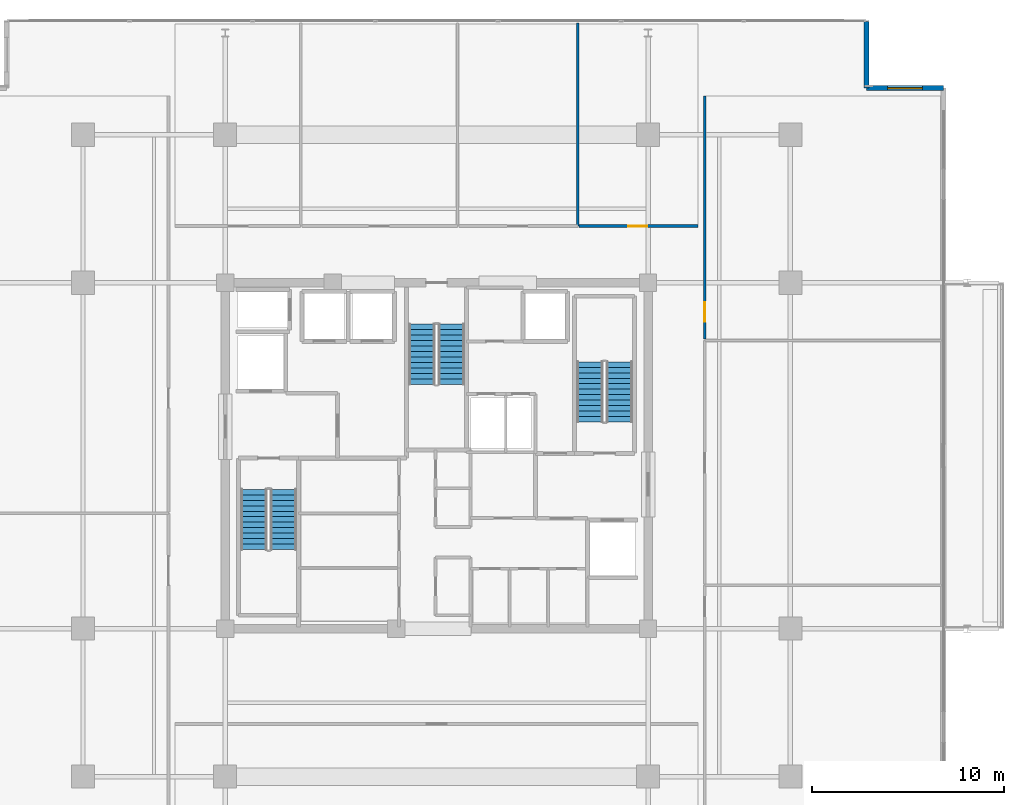
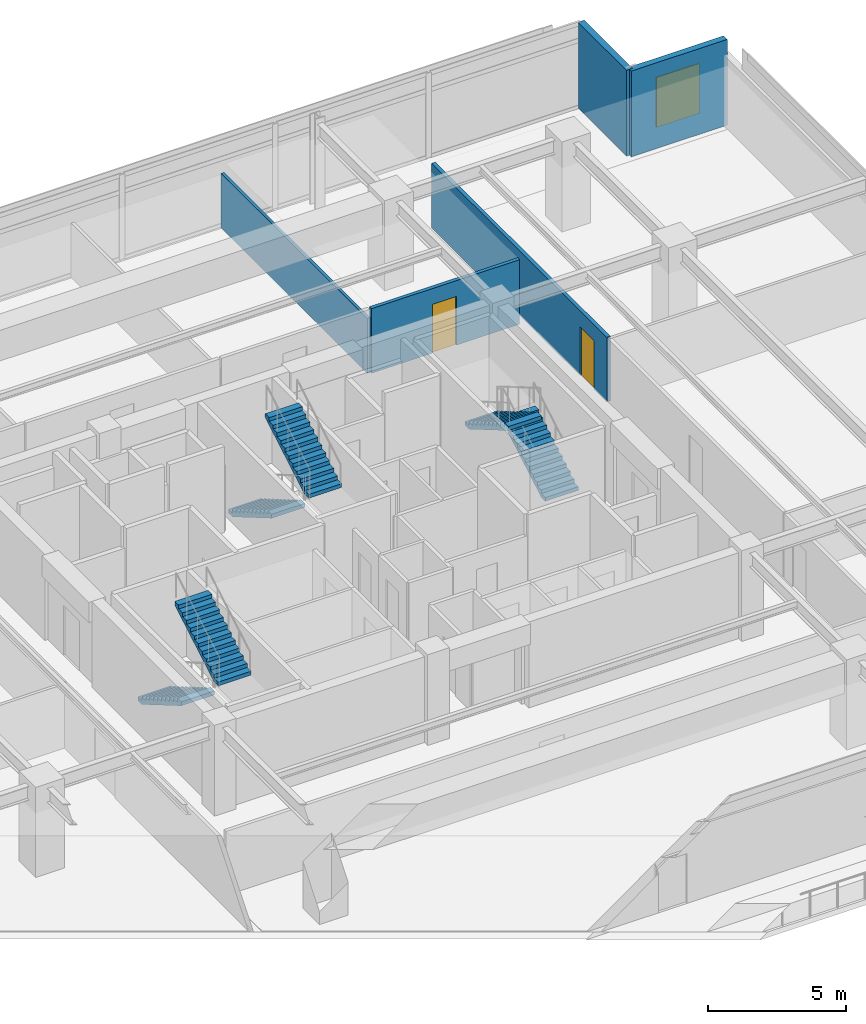
# One storey, part 19 of 24: 6 stair flights, 5 walls, 2 doors, 1 window, 3 openings, 3 elements without a shape of their own.
"""IFC4 building model written with IfcOpenShell, lengths in metres."""

from ifc_helpers import new_model, si_unit, direction, frame, frame_2d, origin, place, context, subcontext, project, spatial, polyline, rectangle, outline, extrude, material, layer, layer_set, type_object, element, fill, aggregate, save


model = new_model("IFC4")

# Units and contexts
model_context = context("Model", 3, precision=1e-05, world=origin(), true_north=direction((0.0, 1.0)))
body_context = subcontext(model_context, "Body", "Model", "MODEL_VIEW")
ifc_project = project(units=[si_unit("LENGTHUNIT", "METRE"), si_unit("AREAUNIT", "SQUARE_METRE"), si_unit("VOLUMEUNIT", "CUBIC_METRE"), si_unit("PLANEANGLEUNIT", "RADIAN"), si_unit("MASSUNIT", "GRAM", prefix="KILO")], contexts=[model_context])

# Site, building, storey
site_placement = place(None, origin())
site = spatial("IfcSite", under=ifc_project, at=site_placement, CompositionType="ELEMENT")
building_placement = place(site_placement, origin())
building = spatial("IfcBuilding", under=site, at=building_placement, Name="Kovane Verandah Tower", CompositionType="ELEMENT")
storey_placement = place(building_placement, frame((0.0, 0.0, 259.199951171875)))
storey = spatial("IfcBuildingStorey", under=building, at=storey_placement, Name="L60", CompositionType="ELEMENT", Elevation=259.199951171875)

# Wall, opening, door
ifc_material_1 = material(Name="Fire-Rated Gypsum Stud Partition", Category="gypsum")
ifc_layer_1 = layer(ifc_material_1, 0.14990234375)
ifc_layer_set_1 = layer_set([ifc_layer_1], Name="Fire-Rated Gypsum Stud Partition")
wall_type_1 = type_object("IfcWallType", Name="WL-COR-150", PredefinedType="PARTITIONING", material=ifc_layer_set_1)
wall_1_placement = place(storey_placement, frame((47.4140625, 39.449951171875, 0.0), z_axis=(0.0, 0.0, 1.0), x_axis=(1.0, 0.0, 0.0)))
wall_1 = element("IfcWall", 1, at=wall_1_placement, inside=storey, type_object=wall_type_1, Name="L60 Open Plan Office N4 Corridor Partition", PredefinedType="PARTITIONING", context=body_context, shape_type="SweptSolid", body=[
    extrude(rectangle(XDim=6.18603515625, YDim=0.14990234375, at=frame_2d((3.093017578125, 0.0))), origin(), (0.0, 0.0, 1.0), 2.85009765625),
])
opening_1_placement = place(wall_1_placement, frame((2.54296875, 0.0, 0.0)))
opening_1 = element("IfcOpeningElement", 2, at=opening_1_placement, cuts=wall_1, Name="Opening DR-L60-027", PredefinedType="OPENING", context=body_context, shape_type="SweptSolid", body=[
    extrude(rectangle(XDim=1.0, YDim=2.14990234375, at=frame_2d((0.5, 1.074951171875))), frame((0.0, 0.074951171875, 0.0), z_axis=(0.0, -1.0, 0.0), x_axis=(1.0, 0.0, 0.0)), (0.0, 0.0, 1.0), 0.14990234375),
])
ifc_material_2 = material(Name="FSC Spotted-Gum Timber Fire-Rated Office Door", Category="wood")
door_type = type_object("IfcDoorType", Name="DR-OFF-1000", OperationType="SINGLE_SWING_LEFT", PredefinedType="DOOR", material=ifc_material_2)
door_1_placement = place(opening_1_placement, origin())
door_1 = element("IfcDoor", 3, at=door_1_placement, inside=storey, type_object=door_type, Name="L60 Open Plan Office N4 Entrance Door", OperationType="SINGLE_SWING_RIGHT", OverallHeight=2.14990234375, OverallWidth=1.0, PredefinedType="DOOR", context=body_context, shape_type="SweptSolid", body=[
    extrude(rectangle(XDim=1.0, YDim=2.14990234375, at=frame_2d((0.5, 1.074951171875))), frame((0.0, 0.02490234375, 0.0), z_axis=(0.0, -1.0, 0.0), x_axis=(1.0, 0.0, 0.0)), (0.0, 0.0, 1.0), 0.050048828125),
])
fill(opening_1, door_1)

wall_2_placement = place(storey_placement, frame((53.949951171875, 33.559814453125, 0.0), z_axis=(0.0, 0.0, 1.0), x_axis=(0.0, 1.0, 0.0)))
wall_2 = element("IfcWall", 4, at=wall_2_placement, inside=storey, type_object=wall_type_1, Name="L60 Collaboration Hub E3 Corridor Partition", PredefinedType="PARTITIONING", context=body_context, shape_type="SweptSolid", body=[
    extrude(rectangle(XDim=12.658447265625, YDim=0.14990234375, at=frame_2d((6.3291015625, 0.0))), origin(), (0.0, 0.0, 1.0), 2.85009765625),
])
opening_2_placement = place(wall_2_placement, frame((0.920166015625, 0.0, 0.0)))
opening_2 = element("IfcOpeningElement", 5, at=opening_2_placement, cuts=wall_2, Name="Opening DR-L60-013", PredefinedType="OPENING", context=body_context, shape_type="SweptSolid", body=[
    extrude(rectangle(XDim=1.0, YDim=2.14990234375, at=frame_2d((0.5, 1.074951171875))), frame((0.0, 0.074951171875, 0.0), z_axis=(0.0, -1.0, 0.0), x_axis=(1.0, 0.0, 0.0)), (0.0, 0.0, 1.0), 0.14990234375),
])
door_2_placement = place(opening_2_placement, origin())
door_2 = element("IfcDoor", 6, at=door_2_placement, inside=storey, type_object=door_type, Name="L60 Collaboration Hub E3 Entrance Door", OperationType="SINGLE_SWING_RIGHT", OverallHeight=2.14990234375, OverallWidth=1.0, PredefinedType="DOOR", context=body_context, shape_type="SweptSolid", body=[
    extrude(rectangle(XDim=1.0, YDim=2.14990234375, at=frame_2d((0.5, 1.074951171875))), frame((0.0, 0.02490234375, 0.0), z_axis=(0.0, -1.0, 0.0), x_axis=(1.0, 0.0, 0.0)), (0.0, 0.0, 1.0), 0.050048828125),
])
fill(opening_2, door_2)

# Wall
ifc_material_3 = material(Name="Acoustic Fire-Rated Gypsum Partition", Category="gypsum")
ifc_layer_2 = layer(ifc_material_3, 0.1201171875)
ifc_layer_set_2 = layer_set([ifc_layer_2], Name="Acoustic Fire-Rated Gypsum Partition")
wall_type_2 = type_object("IfcWallType", Name="WL-PART-120", PredefinedType="PARTITIONING", material=ifc_layer_set_2)
wall_3_placement = place(storey_placement, frame((47.343994140625, 39.449951171875, 0.0), z_axis=(0.0, 0.0, 1.0), x_axis=(0.0, 1.0, 0.0)))
element("IfcWall", 7, at=wall_3_placement, inside=storey, type_object=wall_type_2, Name="L60 Document and Print Room N3 Dividing Partition", PredefinedType="PARTITIONING", context=body_context, shape_type="SweptSolid", body=[
    extrude(rectangle(XDim=10.568359375, YDim=0.1201171875, at=frame_2d((5.2841796875, 0.0))), origin(), (0.0, 0.0, 1.0), 2.4150390625),
])

# Wall, opening, window
ifc_material_4 = material(Name="Concrete C45/55 Insulated Spandrel Wall", Category="concrete")
ifc_layer_3 = layer(ifc_material_4, 0.260009765625)
ifc_layer_set_3 = layer_set([ifc_layer_3], Name="Concrete C45/55 Insulated Spandrel Wall")
wall_type_3 = type_object("IfcWallType", Name="WL-SPANDREL-260", PredefinedType="PARAPET", material=ifc_layer_set_3)
wall_4_placement = place(storey_placement, frame((66.366455078125, 46.6181640625, 0.0), z_axis=(0.0, 0.0, 1.0), x_axis=(-1.0, 0.0, 0.0)))
wall_4 = element("IfcWall", 8, at=wall_4_placement, inside=storey, type_object=wall_type_3, Name="L60 NE Notch Cheek Wall 1", PredefinedType="PARAPET", context=body_context, shape_type="SweptSolid", body=[
    extrude(rectangle(XDim=4.0, YDim=0.260009765625, at=frame_2d((2.0, 0.0))), origin(), (0.0, 0.0, 1.0), 3.78515625),
])
opening_3_placement = place(wall_4_placement, frame((1.10009765625, 0.0, 0.85009765625)))
opening_3 = element("IfcOpeningElement", 9, at=opening_3_placement, cuts=wall_4, Name="Opening W-03", PredefinedType="OPENING", context=body_context, shape_type="SweptSolid", body=[
    extrude(rectangle(XDim=1.800048828125, YDim=2.199951171875, at=frame_2d((0.89990234375, 1.10009765625))), frame((0.0, 0.1298828125, 0.0), z_axis=(0.0, -1.0, 0.0), x_axis=(1.0, 0.0, 0.0)), (0.0, 0.0, 1.0), 0.260009765625),
])
ifc_material_5 = material(Name="Clear Low-E Laminated Double Glazing in Anodised Frame", Category="glass")
window_type = type_object("IfcWindowType", Name="WN-NOTCH-1800x2200", PartitioningType="SINGLE_PANEL", PredefinedType="WINDOW", material=ifc_material_5)
window_placement = place(opening_3_placement, origin())
window = element("IfcWindow", 10, at=window_placement, inside=storey, type_object=window_type, Name="L60 NE Re-Entrant Corner Operable Window", OverallHeight=2.199951171875, OverallWidth=1.800048828125, PartitioningType="SINGLE_PANEL", PredefinedType="WINDOW", context=body_context, shape_type="SweptSolid", body=[
    extrude(rectangle(XDim=1.800048828125, YDim=2.199951171875, at=frame_2d((0.89990234375, 1.10009765625))), frame((0.0, 0.030029296875, 0.0), z_axis=(0.0, -1.0, 0.0), x_axis=(1.0, 0.0, 0.0)), (0.0, 0.0, 1.0), 0.06005859375),
])
fill(opening_3, window)

# Wall
wall_5_placement = place(storey_placement, frame((62.366455078125, 46.6181640625, 0.0), z_axis=(0.0, 0.0, 1.0), x_axis=(0.0, 1.0, 0.0)))
element("IfcWall", 11, at=wall_5_placement, inside=storey, type_object=wall_type_3, Name="L60 NE Notch Cheek Wall 2", PredefinedType="PARAPET", context=body_context, shape_type="SweptSolid", body=[
    extrude(rectangle(XDim=3.5, YDim=0.260009765625, at=frame_2d((1.75, 0.0))), origin(), (0.0, 0.0, 1.0), 3.78515625),
])

# Stair, stair flights
ifc_material_6 = material(Name="Concrete C45/55", Category="concrete")
stair_type = type_object("IfcStairType", Name="ST-CORE-1380", PredefinedType="HALF_TURN_STAIR", material=ifc_material_6)
stair_1_placement = place(storey_placement, origin())
stair_1 = element("IfcStair", 12, at=stair_1_placement, inside=storey, type_object=stair_type, Name="L60 Exit Stair ST-01", PredefinedType="HALF_TURN_STAIR")
stair_flight_type = type_object("IfcStairFlightType", Name="STF-CORE-1380", PredefinedType="STRAIGHT", material=ifc_material_6)
stair_flight_1_placement = place(storey_placement, frame((30.489990234375, 25.75, 0.0), z_axis=(0.0, 0.0, 1.0), x_axis=(0.0, -1.0, 0.0)))
stair_flight_1 = element("IfcStairFlight", 13, at=stair_flight_1_placement, type_object=stair_flight_type, Name="ST-01 flight 1", NumberOfRisers=12, NumberOfTreads=11, PredefinedType="STRAIGHT", RiserHeight=0.166666667, TreadLength=0.285, context=body_context, shape_type="SweptSolid", body=[
    extrude(outline(polyline([(0.0, 0.0), (0.0, 0.166748046875), (0.284912109375, 0.166748046875), (0.284912109375, 0.333251953125), (0.570068359375, 0.333251953125), (0.570068359375, 0.5), (0.85498046875, 0.5), (0.85498046875, 0.666748046875), (1.139892578125, 0.666748046875), (1.139892578125, 0.833251953125), (1.425048828125, 0.833251953125), (1.425048828125, 1.0), (1.7099609375, 1.0), (1.7099609375, 1.166748046875), (1.9951171875, 1.166748046875), (1.9951171875, 1.333251953125), (2.280029296875, 1.333251953125), (2.280029296875, 1.5), (2.56494140625, 1.5), (2.56494140625, 1.666748046875), (2.85009765625, 1.666748046875), (2.85009765625, 1.833251953125), (3.135009765625, 1.833251953125), (3.135009765625, 2.0), (3.135009765625, 1.65966796875), (0.296875, 0.0), (0.0, 0.0)])), frame((0.0, 0.68994140625, 0.0), z_axis=(0.0, -1.0, 0.0), x_axis=(1.0, 0.0, 0.0)), (0.0, 0.0, 1.0), 1.3798828125),
])
stair_flight_2_placement = place(storey_placement, frame((32.030029296875, 22.614990234375, 2.0), z_axis=(0.0, 0.0, 1.0), x_axis=(0.0, 1.0, 0.0)))
stair_flight_2 = element("IfcStairFlight", 14, at=stair_flight_2_placement, type_object=stair_flight_type, Name="ST-01 flight 2", NumberOfRisers=12, NumberOfTreads=11, PredefinedType="STRAIGHT", RiserHeight=0.166666667, TreadLength=0.285, context=body_context, shape_type="SweptSolid", body=[
    extrude(outline(polyline([(0.0, 0.0), (0.0, 0.166748046875), (0.284912109375, 0.166748046875), (0.284912109375, 0.333251953125), (0.570068359375, 0.333251953125), (0.570068359375, 0.5), (0.85498046875, 0.5), (0.85498046875, 0.666748046875), (1.139892578125, 0.666748046875), (1.139892578125, 0.833251953125), (1.425048828125, 0.833251953125), (1.425048828125, 1.0), (1.7099609375, 1.0), (1.7099609375, 1.166748046875), (1.9951171875, 1.166748046875), (1.9951171875, 1.333251953125), (2.280029296875, 1.333251953125), (2.280029296875, 1.5), (2.56494140625, 1.5), (2.56494140625, 1.666748046875), (2.85009765625, 1.666748046875), (2.85009765625, 1.833251953125), (3.135009765625, 1.833251953125), (3.135009765625, 2.0), (3.135009765625, 1.65966796875), (0.296875, 0.0), (0.0, 0.0)])), frame((0.0, 0.68994140625, 0.0), z_axis=(0.0, -1.0, 0.0), x_axis=(1.0, 0.0, 0.0)), (0.0, 0.0, 1.0), 1.3798828125),
])
aggregate(stair_1, [stair_flight_1, stair_flight_2])

stair_2_placement = place(storey_placement, origin())
stair_2 = element("IfcStair", 15, at=stair_2_placement, inside=storey, type_object=stair_type, Name="L60 Exit Stair ST-02", PredefinedType="HALF_TURN_STAIR")
stair_flight_3_placement = place(storey_placement, frame((49.510009765625, 29.25, 0.0), z_axis=(0.0, 0.0, 1.0), x_axis=(0.0, 1.0, 0.0)))
stair_flight_3 = element("IfcStairFlight", 16, at=stair_flight_3_placement, type_object=stair_flight_type, Name="ST-02 flight 1", NumberOfRisers=12, NumberOfTreads=11, PredefinedType="STRAIGHT", RiserHeight=0.166666667, TreadLength=0.285, context=body_context, shape_type="SweptSolid", body=[
    extrude(outline(polyline([(0.0, 0.0), (0.0, 0.166748046875), (0.284912109375, 0.166748046875), (0.284912109375, 0.333251953125), (0.570068359375, 0.333251953125), (0.570068359375, 0.5), (0.85498046875, 0.5), (0.85498046875, 0.666748046875), (1.139892578125, 0.666748046875), (1.139892578125, 0.833251953125), (1.425048828125, 0.833251953125), (1.425048828125, 1.0), (1.7099609375, 1.0), (1.7099609375, 1.166748046875), (1.9951171875, 1.166748046875), (1.9951171875, 1.333251953125), (2.280029296875, 1.333251953125), (2.280029296875, 1.5), (2.56494140625, 1.5), (2.56494140625, 1.666748046875), (2.85009765625, 1.666748046875), (2.85009765625, 1.833251953125), (3.135009765625, 1.833251953125), (3.135009765625, 2.0), (3.135009765625, 1.65966796875), (0.296875, 0.0), (0.0, 0.0)])), frame((0.0, 0.68994140625, 0.0), z_axis=(0.0, -1.0, 0.0), x_axis=(1.0, 0.0, 0.0)), (0.0, 0.0, 1.0), 1.3798828125),
])
stair_flight_4_placement = place(storey_placement, frame((47.969970703125, 32.385009765625, 2.0), z_axis=(0.0, 0.0, 1.0), x_axis=(0.0, -1.0, 0.0)))
stair_flight_4 = element("IfcStairFlight", 17, at=stair_flight_4_placement, type_object=stair_flight_type, Name="ST-02 flight 2", NumberOfRisers=12, NumberOfTreads=11, PredefinedType="STRAIGHT", RiserHeight=0.166666667, TreadLength=0.285, context=body_context, shape_type="SweptSolid", body=[
    extrude(outline(polyline([(0.0, 0.0), (0.0, 0.166748046875), (0.284912109375, 0.166748046875), (0.284912109375, 0.333251953125), (0.570068359375, 0.333251953125), (0.570068359375, 0.5), (0.85498046875, 0.5), (0.85498046875, 0.666748046875), (1.139892578125, 0.666748046875), (1.139892578125, 0.833251953125), (1.425048828125, 0.833251953125), (1.425048828125, 1.0), (1.7099609375, 1.0), (1.7099609375, 1.166748046875), (1.9951171875, 1.166748046875), (1.9951171875, 1.333251953125), (2.280029296875, 1.333251953125), (2.280029296875, 1.5), (2.56494140625, 1.5), (2.56494140625, 1.666748046875), (2.85009765625, 1.666748046875), (2.85009765625, 1.833251953125), (3.135009765625, 1.833251953125), (3.135009765625, 2.0), (3.135009765625, 1.65966796875), (0.296875, 0.0), (0.0, 0.0)])), frame((0.0, 0.68994140625, 0.0), z_axis=(0.0, -1.0, 0.0), x_axis=(1.0, 0.0, 0.0)), (0.0, 0.0, 1.0), 1.3798828125),
])
aggregate(stair_2, [stair_flight_3, stair_flight_4])

stair_3_placement = place(storey_placement, origin())
stair_3 = element("IfcStair", 18, at=stair_3_placement, inside=storey, type_object=stair_type, Name="L60 Exit Stair ST-03", PredefinedType="HALF_TURN_STAIR")
stair_flight_5_placement = place(storey_placement, frame((39.22998046875, 34.35009765625, 0.0), z_axis=(0.0, 0.0, 1.0), x_axis=(0.0, -1.0, 0.0)))
stair_flight_5 = element("IfcStairFlight", 19, at=stair_flight_5_placement, type_object=stair_flight_type, Name="ST-03 flight 1", NumberOfRisers=12, NumberOfTreads=11, PredefinedType="STRAIGHT", RiserHeight=0.166666667, TreadLength=0.285, context=body_context, shape_type="SweptSolid", body=[
    extrude(outline(polyline([(0.0, 0.0), (0.0, 0.166748046875), (0.284912109375, 0.166748046875), (0.284912109375, 0.333251953125), (0.570068359375, 0.333251953125), (0.570068359375, 0.5), (0.85498046875, 0.5), (0.85498046875, 0.666748046875), (1.139892578125, 0.666748046875), (1.139892578125, 0.833251953125), (1.425048828125, 0.833251953125), (1.425048828125, 1.0), (1.7099609375, 1.0), (1.7099609375, 1.166748046875), (1.9951171875, 1.166748046875), (1.9951171875, 1.333251953125), (2.280029296875, 1.333251953125), (2.280029296875, 1.5), (2.56494140625, 1.5), (2.56494140625, 1.666748046875), (2.85009765625, 1.666748046875), (2.85009765625, 1.833251953125), (3.135009765625, 1.833251953125), (3.135009765625, 2.0), (3.135009765625, 1.65966796875), (0.296875, 0.0), (0.0, 0.0)])), frame((0.0, 0.68994140625, 0.0), z_axis=(0.0, -1.0, 0.0), x_axis=(1.0, 0.0, 0.0)), (0.0, 0.0, 1.0), 1.3798828125),
])
stair_flight_6_placement = place(storey_placement, frame((40.77001953125, 31.215087890625, 2.0), z_axis=(0.0, 0.0, 1.0), x_axis=(0.0, 1.0, 0.0)))
stair_flight_6 = element("IfcStairFlight", 20, at=stair_flight_6_placement, type_object=stair_flight_type, Name="ST-03 flight 2", NumberOfRisers=12, NumberOfTreads=11, PredefinedType="STRAIGHT", RiserHeight=0.166666667, TreadLength=0.285, context=body_context, shape_type="SweptSolid", body=[
    extrude(outline(polyline([(0.0, 0.0), (0.0, 0.166748046875), (0.284912109375, 0.166748046875), (0.284912109375, 0.333251953125), (0.570068359375, 0.333251953125), (0.570068359375, 0.5), (0.85498046875, 0.5), (0.85498046875, 0.666748046875), (1.139892578125, 0.666748046875), (1.139892578125, 0.833251953125), (1.425048828125, 0.833251953125), (1.425048828125, 1.0), (1.7099609375, 1.0), (1.7099609375, 1.166748046875), (1.9951171875, 1.166748046875), (1.9951171875, 1.333251953125), (2.280029296875, 1.333251953125), (2.280029296875, 1.5), (2.56494140625, 1.5), (2.56494140625, 1.666748046875), (2.85009765625, 1.666748046875), (2.85009765625, 1.833251953125), (3.135009765625, 1.833251953125), (3.135009765625, 2.0), (3.135009765625, 1.65966796875), (0.296875, 0.0), (0.0, 0.0)])), frame((0.0, 0.68994140625, 0.0), z_axis=(0.0, -1.0, 0.0), x_axis=(1.0, 0.0, 0.0)), (0.0, 0.0, 1.0), 1.3798828125),
])
aggregate(stair_3, [stair_flight_5, stair_flight_6])

save(model, "model.ifc")
